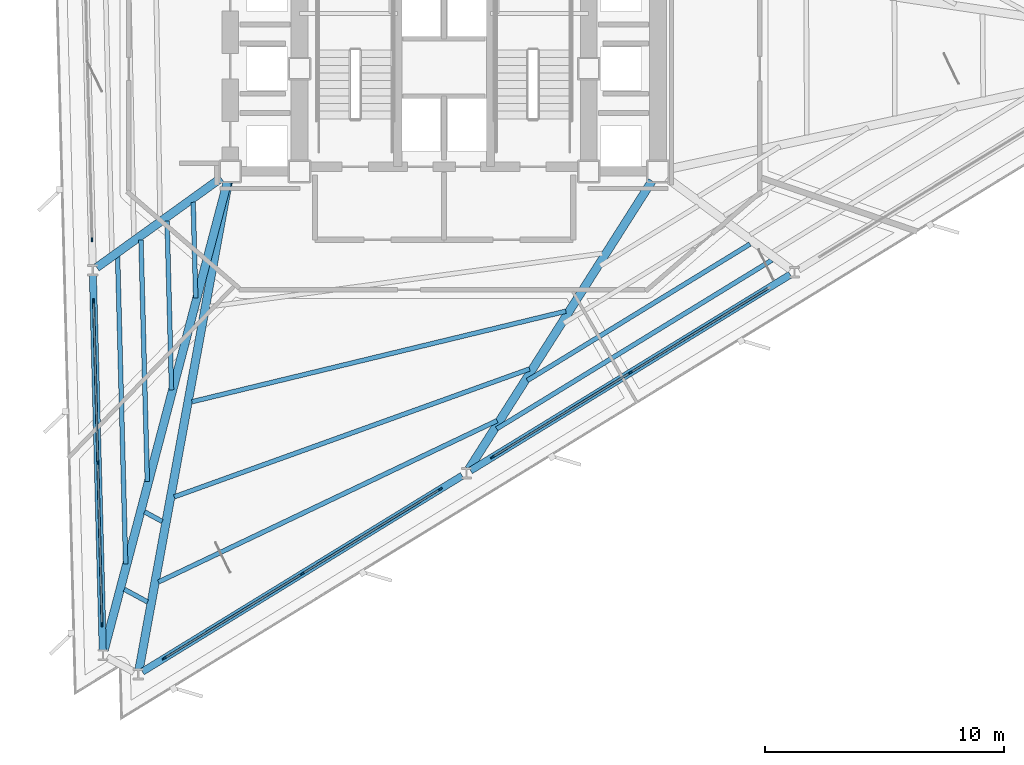
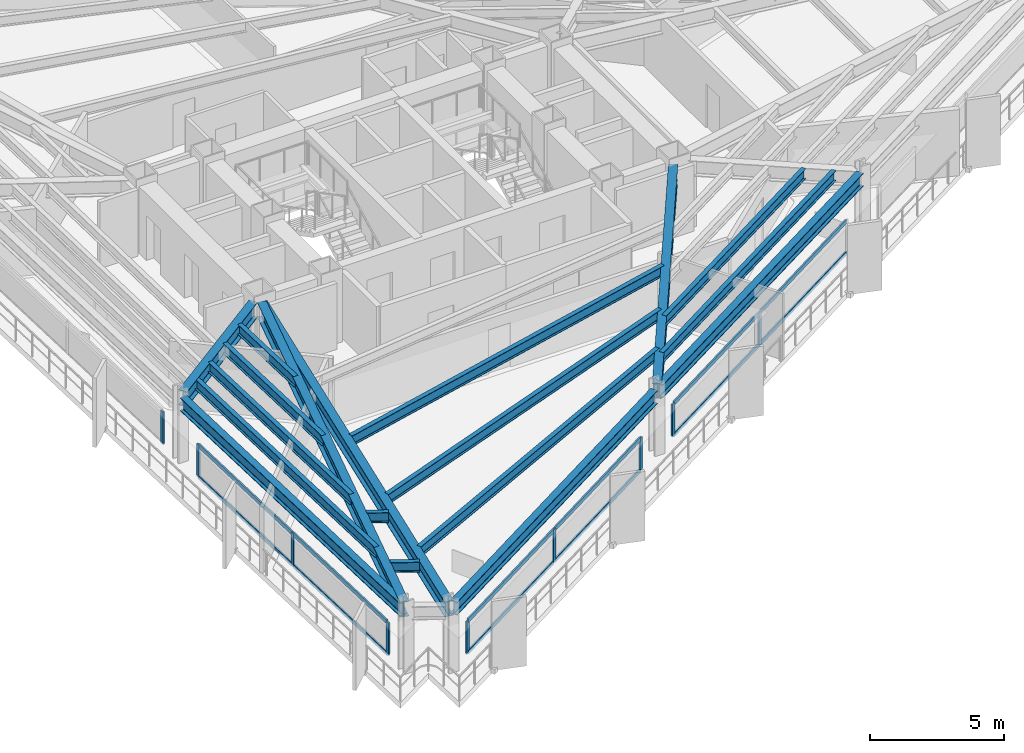
# One storey, part 2 of 14: 21 members, 18 beams, 4 elements without a shape of their own.
"""IFC4 building model written with IfcOpenShell, lengths in metres."""

import ifcopenshell
import ifcopenshell.guid

model = None  # the IFC model being written
_history = None  # IfcOwnerHistory: only IFC2X3 demands one
_inside = {}  # id of a spatial element -> (the spatial element, [elements in it])
_under = {}  # id of a project, library or spatial element -> (it, [spatial elements below it])
_declared = {}  # id of a project -> (the project, [libraries it declares])
_typed = {}  # id of a type object -> (the type object, [elements of that type])
_made_of = {}  # id of a material, layer set ... -> (it, [elements and type objects made of it])


def new_model(schema):
    """Start an empty IFC model of exactly this schema.

    Asked for "IFC4X3", IfcOpenShell would pick the latest addendum, in which some entities
    have other attributes; the version numbers below select the first issue.
    IFC2X3 requires an IfcOwnerHistory on every rooted entity: one is made here for all.
    """
    global model, _history
    if schema == "IFC4X3":
        model = ifcopenshell.file(schema_version=(4, 3, 0, 0))
    else:
        model = ifcopenshell.file(schema=schema)
    _inside.clear()
    _under.clear()
    _declared.clear()
    _typed.clear()
    _made_of.clear()
    _history = None
    if model.schema == "IFC2X3":
        org = make("IfcOrganization", Name="unknown")
        user = make(
            "IfcPersonAndOrganization",
            ThePerson=make("IfcPerson", FamilyName="unknown"),
            TheOrganization=org,
        )
        app = make(
            "IfcApplication",
            ApplicationDeveloper=org,
            Version="unknown",
            ApplicationFullName="unknown",
            ApplicationIdentifier="unknown",
        )
        _history = make(
            "IfcOwnerHistory",
            OwningUser=user,
            OwningApplication=app,
            ChangeAction="ADDED",
            CreationDate=0,
        )
    return model


def make(cls, **values):
    """One entity of the class cls with the attributes given. An attribute that is None is left unset."""
    return model.create_entity(
        cls, **{name: value for name, value in values.items() if value is not None}
    )


def rooted(cls, **values):
    """An entity with a GlobalId (a new one), such as an element, a storey or a relation."""
    return make(cls, GlobalId=ifcopenshell.guid.new(), OwnerHistory=_history, **values)


def si_unit(unit_type, name, prefix=None):
    """IfcSIUnit, for example si_unit("LENGTHUNIT", "METRE", prefix="MILLI")."""
    return make("IfcSIUnit", UnitType=unit_type, Prefix=prefix, Name=name)


def assignment(units):
    """IfcUnitAssignment: the units of a project."""
    return None if units is None else make("IfcUnitAssignment", Units=units)


def point(xyz):
    """IfcCartesianPoint."""
    return None if xyz is None else make("IfcCartesianPoint", Coordinates=xyz)


def direction(xyz):
    """IfcDirection."""
    return None if xyz is None else make("IfcDirection", DirectionRatios=xyz)


def frame(location, z_axis=None, x_axis=None):
    """IfcAxis2Placement3D, a coordinate frame: its origin and axes. An axis left out is left unset."""
    return make(
        "IfcAxis2Placement3D",
        Location=point(location),
        Axis=direction(z_axis),
        RefDirection=direction(x_axis),
    )


def frame_2d(location, x_axis=None):
    """IfcAxis2Placement2D, a coordinate frame in the plane: its origin and x axis."""
    return make(
        "IfcAxis2Placement2D", Location=point(location), RefDirection=direction(x_axis)
    )


def origin():
    """The frame at (0, 0, 0) with its axes left unset."""
    return frame((0.0, 0.0, 0.0))


def origin_2d():
    """The frame at (0, 0) in the plane with its x axis left unset."""
    return frame_2d((0.0, 0.0))


def place(relative_to, where):
    """IfcLocalPlacement: puts the frame where relative to a parent placement (None: the world)."""
    return make(
        "IfcLocalPlacement", PlacementRelTo=relative_to, RelativePlacement=where
    )


def context(
    kind, dimensions, precision=None, world=None, true_north=None, identifier=None
):
    """IfcGeometricRepresentationContext, for example the 3D "Model" context."""
    return make(
        "IfcGeometricRepresentationContext",
        ContextIdentifier=identifier,
        ContextType=kind,
        CoordinateSpaceDimension=dimensions,
        Precision=precision,
        WorldCoordinateSystem=world,
        TrueNorth=true_north,
    )


def subcontext(parent, identifier, kind, view, scale=None):
    """IfcGeometricRepresentationSubContext, for example "Body" below "Model"."""
    return make(
        "IfcGeometricRepresentationSubContext",
        ContextIdentifier=identifier,
        ContextType=kind,
        ParentContext=parent,
        TargetScale=scale,
        TargetView=view,
    )


def project(units=None, contexts=None):
    """IfcProject with its units and contexts."""
    return rooted(
        "IfcProject",
        Name="project",
        RepresentationContexts=contexts,
        UnitsInContext=assignment(units),
    )


def spatial(cls, under=None, at=None, **own):
    """A site, building, storey or space (cls), placed at a placement, below another one or the project."""
    s = rooted(cls, ObjectPlacement=at, **own)
    if under is not None:
        _under.setdefault(under.id(), (under, []))[1].append(s)
    return s


def profile(cls, at=None, kind="AREA", **sizes):
    """A parametric profile (cls). Its sizes go by their IFC names, for example OverallWidth=200.0."""
    return make(cls, ProfileType=kind, Position=at, **sizes)


def rectangle(**sizes):
    """IfcRectangleProfileDef."""
    return profile("IfcRectangleProfileDef", **sizes)


def i_section(**sizes):
    """IfcIShapeProfileDef."""
    return profile("IfcIShapeProfileDef", **sizes)


def extrude(swept, where, along, depth):
    """IfcExtrudedAreaSolid: the profile swept, set in the frame where, extruded along a direction by depth."""
    return make(
        "IfcExtrudedAreaSolid",
        SweptArea=swept,
        Position=where,
        ExtrudedDirection=direction(along),
        Depth=depth,
    )


def shape(context_of_items, identifier, shape_type, items):
    """IfcShapeRepresentation: the items that make up one representation, for example the "Body"."""
    return make(
        "IfcShapeRepresentation",
        ContextOfItems=context_of_items,
        RepresentationIdentifier=identifier,
        RepresentationType=shape_type,
        Items=items,
    )


def material(Name=None, Category=None):
    """IfcMaterial."""
    return make("IfcMaterial", Name=Name, Category=Category)


def layer(
    of_material, thickness, ventilated=None, Name=None, Category=None, Priority=None
):
    """IfcMaterialLayer: one layer of a wall or slab, of a material (None: an air gap)."""
    return make(
        "IfcMaterialLayer",
        Material=of_material,
        LayerThickness=thickness,
        IsVentilated=ventilated,
        Name=Name,
        Category=Category,
        Priority=Priority,
    )


def layer_set(layers, Name=None):
    """IfcMaterialLayerSet."""
    return make("IfcMaterialLayerSet", MaterialLayers=layers, LayerSetName=Name)


def material_profile(
    of_material, cross_section, Name=None, Category=None, Priority=None
):
    """IfcMaterialProfile: a cross section and its material."""
    return make(
        "IfcMaterialProfile",
        Name=Name,
        Material=of_material,
        Profile=cross_section,
        Priority=Priority,
        Category=Category,
    )


def profile_set(profiles, Name=None, composite=None):
    """IfcMaterialProfileSet."""
    return make(
        "IfcMaterialProfileSet",
        Name=Name,
        MaterialProfiles=profiles,
        CompositeProfile=composite,
    )


def made_of(thing, what):
    """Note that an element or type object is made of a material, layer set ...; save() writes the relation."""
    if what is not None:
        _made_of.setdefault(what.id(), (what, []))[1].append(thing)
    return thing


def type_object(cls, material=None, **own):
    """A type object (cls), such as IfcWallType, which elements share."""
    return made_of(rooted(cls, **own), material)


def element(
    cls,
    number,
    at=None,
    inside=None,
    cuts=None,
    type_object=None,
    material=None,
    context=None,
    identifier="Body",
    shape_type=None,
    held_by="IfcProductDefinitionShape",
    body=None,
    shapes=None,
    **own,
):
    """One element of the class cls, such as IfcWall. Its Tag is "e" and its number.

    at: its placement. inside: the storey or other place that contains it. cuts: it is an
    opening in that element (IfcRelVoidsElement). A single representation is given by context,
    identifier, shape_type and body (its items); several are given by shapes. held_by: the class
    of the entity that holds the representations. save() writes the other relations.
    """
    e = rooted(cls, Tag="e%d" % number, ObjectPlacement=at, **own)
    if body is not None:
        shapes = [shape(context, identifier, shape_type, body)]
    if shapes is not None:
        e.Representation = make(held_by, Representations=shapes)
    if inside is not None:
        _inside.setdefault(inside.id(), (inside, []))[1].append(e)
    if cuts is not None:
        rooted(
            "IfcRelVoidsElement", RelatingBuildingElement=cuts, RelatedOpeningElement=e
        )
    if type_object is not None:
        _typed.setdefault(type_object.id(), (type_object, []))[1].append(e)
    return made_of(e, material)


def aggregate(whole, parts):
    """IfcRelAggregates: a whole, such as a stair, and the parts it consists of."""
    return rooted("IfcRelAggregates", RelatingObject=whole, RelatedObjects=parts)


def save(model, path):
    """Write the relations noted so far, then the file.

    IfcRelAggregates (storeys below a building ...), IfcRelContainedInSpatialStructure (elements
    in a storey), IfcRelDefinesByType, IfcRelAssociatesMaterial and IfcRelDeclares: one each for
    every whole, place, type object, material and project.
    """
    for whole, parts in _under.values():
        aggregate(whole, parts)
    for where, things in _inside.values():
        rooted(
            "IfcRelContainedInSpatialStructure",
            RelatedElements=things,
            RelatingStructure=where,
        )
    for kind, things in _typed.values():
        rooted("IfcRelDefinesByType", RelatedObjects=things, RelatingType=kind)
    for what, things in _made_of.values():
        rooted("IfcRelAssociatesMaterial", RelatedObjects=things, RelatingMaterial=what)
    for by, libraries in _declared.values():
        rooted("IfcRelDeclares", RelatingContext=by, RelatedDefinitions=libraries)
    model.write(path)


model = new_model("IFC4")

# Units and contexts
model_context = context("Model", 3, precision=1e-05, world=origin(), true_north=direction((0.0, 1.0)))
body_context = subcontext(model_context, "Body", "Model", "MODEL_VIEW")
ifc_project = project(units=[si_unit("LENGTHUNIT", "METRE"), si_unit("AREAUNIT", "SQUARE_METRE"), si_unit("VOLUMEUNIT", "CUBIC_METRE"), si_unit("PLANEANGLEUNIT", "RADIAN"), si_unit("MASSUNIT", "GRAM", prefix="KILO")], contexts=[model_context])

# Site, building, storey
site_placement = place(None, origin())
site = spatial("IfcSite", under=ifc_project, at=site_placement, CompositionType="ELEMENT")
building_placement = place(site_placement, origin())
building = spatial("IfcBuilding", under=site, at=building_placement, Name="Rocaltana Carrier Exchange", CompositionType="ELEMENT")
storey_placement = place(building_placement, frame((0.0, 0.0, 42.39990234375)))
storey = spatial("IfcBuildingStorey", under=building, at=storey_placement, Name="L13", CompositionType="ELEMENT", Elevation=42.39990234375)

# Curtain wall, member
ifc_material_1 = material(Name="Aluminium 6063-T6", Category="aluminium")
ifc_layer = layer(ifc_material_1, 0.179931640625)
ifc_layer_set = layer_set([ifc_layer], Name="Aluminium 6063-T6")
curtain_wall_type = type_object("IfcCurtainWallType", Name="Sandstone Spandrel Unitised Curtain Wall CW-01", PredefinedType="NOTDEFINED", material=ifc_layer_set)
curtain_wall_1_placement = place(storey_placement, origin())
curtain_wall_1 = element("IfcCurtainWall", 1, at=curtain_wall_1_placement, inside=storey, type_object=curtain_wall_type, Name="L13 CW-01 Run CW-L13-F2S2", PredefinedType="NOTDEFINED")
ifc_material_2 = material(Name="Aluminium 6063-T6", Category="aluminium")
ifc_material_profile_1 = material_profile(ifc_material_2, rectangle(XDim=0.06494140625, YDim=0.179931640625, at=origin_2d()), Name="AL-65X180")
ifc_profile_set_1 = profile_set([ifc_material_profile_1], Name="Aluminium 6063-T6")
member_type_1 = type_object("IfcMemberType", Name="CW-01 Mullion AL-65X180", PredefinedType="MULLION", material=ifc_profile_set_1)
member_1_placement = place(storey_placement, frame((-14.733642578125, -7.155517578125, 0.0), z_axis=(0.0, 0.0, 1.0), x_axis=(0.99965733548, 0.026176547142, 0.0)))
member_1 = element("IfcMember", 2, at=member_1_placement, type_object=member_type_1, Name="CW-01 mullion 3", PredefinedType="MULLION", context=body_context, shape_type="SweptSolid", body=[
    extrude(rectangle(XDim=0.06494140625, YDim=0.179931640625, at=origin_2d()), origin(), (0.0, 0.0, 1.0), 1.498046875),
])
aggregate(curtain_wall_1, [member_1])

# Curtain wall, members
curtain_wall_2_placement = place(storey_placement, origin())
curtain_wall_2 = element("IfcCurtainWall", 3, at=curtain_wall_2_placement, inside=storey, type_object=curtain_wall_type, Name="L13 CW-01 Run CW-L13-F2S3", PredefinedType="NOTDEFINED")
member_2_placement = place(storey_placement, frame((-14.66650390625, -9.7197265625, 0.0), z_axis=(0.0, 0.0, 1.0), x_axis=(0.999657143044, 0.026183895077, 0.0)))
member_2 = element("IfcMember", 4, at=member_2_placement, type_object=member_type_1, Name="CW-01 mullion 1", PredefinedType="MULLION", context=body_context, shape_type="SweptSolid", body=[
    extrude(rectangle(XDim=0.06494140625, YDim=0.179931640625, at=origin_2d()), origin(), (0.0, 0.0, 1.0), 1.498046875),
])
member_3_placement = place(storey_placement, frame((-14.4892578125, -16.48486328125, 0.0), z_axis=(0.0, 0.0, 1.0), x_axis=(0.999657143044, 0.026183895077, 0.0)))
member_3 = element("IfcMember", 5, at=member_3_placement, type_object=member_type_1, Name="CW-01 mullion 2", PredefinedType="MULLION", context=body_context, shape_type="SweptSolid", body=[
    extrude(rectangle(XDim=0.06494140625, YDim=0.179931640625, at=origin_2d()), origin(), (0.0, 0.0, 1.0), 1.498046875),
])
member_4_placement = place(storey_placement, frame((-14.31201171875, -23.25, 0.0), z_axis=(0.0, 0.0, 1.0), x_axis=(0.999657143044, 0.026183895077, 0.0)))
member_4 = element("IfcMember", 6, at=member_4_placement, type_object=member_type_1, Name="CW-01 mullion 3", PredefinedType="MULLION", context=body_context, shape_type="SweptSolid", body=[
    extrude(rectangle(XDim=0.06494140625, YDim=0.179931640625, at=origin_2d()), origin(), (0.0, 0.0, 1.0), 1.498046875),
])

curtain_wall_3_placement = place(storey_placement, origin())
curtain_wall_3 = element("IfcCurtainWall", 7, at=curtain_wall_3_placement, inside=storey, type_object=curtain_wall_type, Name="L13 CW-01 Run CW-L13-F3S1", PredefinedType="NOTDEFINED")
member_5_placement = place(storey_placement, frame((-11.704345703125, -24.666015625, 0.0), z_axis=(0.0, 0.0, 1.0), x_axis=(-0.522505157925, 0.852636123996, 0.0)))
member_5 = element("IfcMember", 8, at=member_5_placement, type_object=member_type_1, Name="CW-01 mullion 1", PredefinedType="MULLION", context=body_context, shape_type="SweptSolid", body=[
    extrude(rectangle(XDim=0.06494140625, YDim=0.179931640625, at=origin_2d()), origin(), (0.0, 0.0, 1.0), 1.498046875),
])
member_6_placement = place(storey_placement, frame((-5.93408203125, -21.130126953125, 0.0), z_axis=(0.0, 0.0, 1.0), x_axis=(-0.522505157925, 0.852636123996, 0.0)))
member_6 = element("IfcMember", 9, at=member_6_placement, type_object=member_type_1, Name="CW-01 mullion 2", PredefinedType="MULLION", context=body_context, shape_type="SweptSolid", body=[
    extrude(rectangle(XDim=0.06494140625, YDim=0.179931640625, at=origin_2d()), origin(), (0.0, 0.0, 1.0), 1.498046875),
])
member_7_placement = place(storey_placement, frame((-0.163818359375, -17.593994140625, 0.0), z_axis=(0.0, 0.0, 1.0), x_axis=(-0.522505157925, 0.852636123996, 0.0)))
member_7 = element("IfcMember", 10, at=member_7_placement, type_object=member_type_1, Name="CW-01 mullion 3", PredefinedType="MULLION", context=body_context, shape_type="SweptSolid", body=[
    extrude(rectangle(XDim=0.06494140625, YDim=0.179931640625, at=origin_2d()), origin(), (0.0, 0.0, 1.0), 1.498046875),
])

curtain_wall_4_placement = place(storey_placement, origin())
curtain_wall_4 = element("IfcCurtainWall", 11, at=curtain_wall_4_placement, inside=storey, type_object=curtain_wall_type, Name="L13 CW-01 Run CW-L13-F3S2", PredefinedType="NOTDEFINED")
member_8_placement = place(storey_placement, frame((2.023193359375, -16.25390625, 0.0), z_axis=(0.0, 0.0, 1.0), x_axis=(-0.522499812415, 0.852639399762, 0.0)))
member_8 = element("IfcMember", 12, at=member_8_placement, type_object=member_type_1, Name="CW-01 mullion 1", PredefinedType="MULLION", context=body_context, shape_type="SweptSolid", body=[
    extrude(rectangle(XDim=0.06494140625, YDim=0.179931640625, at=origin_2d()), origin(), (0.0, 0.0, 1.0), 1.498046875),
])
member_9_placement = place(storey_placement, frame((7.79345703125, -12.7177734375, 0.0), z_axis=(0.0, 0.0, 1.0), x_axis=(-0.522499812415, 0.852639399762, 0.0)))
member_9 = element("IfcMember", 13, at=member_9_placement, type_object=member_type_1, Name="CW-01 mullion 2", PredefinedType="MULLION", context=body_context, shape_type="SweptSolid", body=[
    extrude(rectangle(XDim=0.06494140625, YDim=0.179931640625, at=origin_2d()), origin(), (0.0, 0.0, 1.0), 1.498046875),
])

# Member
ifc_material_3 = material(Name="Aluminium 6063-T6", Category="aluminium")
ifc_material_profile_2 = material_profile(ifc_material_3, rectangle(XDim=0.06494140625, YDim=0.179931640625, at=origin_2d()), Name="AL-65X180")
ifc_profile_set_2 = profile_set([ifc_material_profile_2], Name="Aluminium 6063-T6")
member_type_2 = type_object("IfcMemberType", Name="CW-01 Transom AL-65X180", PredefinedType="USERDEFINED", material=ifc_profile_set_2)
member_10_placement = place(storey_placement, frame((-14.66552734375, -9.752197265625, 0.03271484375), z_axis=(0.026189818331, -0.999656987879, 0.0), x_axis=(0.999656987879, 0.026189818331, 0.0)))
member_10 = element("IfcMember", 14, at=member_10_placement, type_object=member_type_2, Name="CW-01 transom 1.1", ObjectType="TRANSOM", PredefinedType="USERDEFINED", context=body_context, shape_type="SweptSolid", body=[
    extrude(rectangle(XDim=0.06494140625, YDim=0.179931640625, at=origin_2d()), origin(), (0.0, 0.0, 1.0), 6.702392578125),
])

member_11_placement = place(storey_placement, frame((-14.66552734375, -9.752197265625, 1.465576171875), z_axis=(0.026189818331, -0.999656987879, 0.0), x_axis=(0.999656987879, 0.026189818331, 0.0)))
member_11 = element("IfcMember", 15, at=member_11_placement, type_object=member_type_2, Name="CW-01 transom 1.2", ObjectType="TRANSOM", PredefinedType="USERDEFINED", context=body_context, shape_type="SweptSolid", body=[
    extrude(rectangle(XDim=0.06494140625, YDim=0.179931640625, at=origin_2d()), origin(), (0.0, 0.0, 1.0), 6.702392578125),
])

member_12_placement = place(storey_placement, frame((-14.48828125, -16.517333984375, 0.03271484375), z_axis=(0.026153417925, -0.999657940863, 0.0), x_axis=(0.999657940863, 0.026153417925, 0.0)))
member_12 = element("IfcMember", 16, at=member_12_placement, type_object=member_type_2, Name="CW-01 transom 2.1", ObjectType="TRANSOM", PredefinedType="USERDEFINED", context=body_context, shape_type="SweptSolid", body=[
    extrude(rectangle(XDim=0.06494140625, YDim=0.179931640625, at=origin_2d()), origin(), (0.0, 0.0, 1.0), 6.702392578125),
])

member_13_placement = place(storey_placement, frame((-14.48828125, -16.517333984375, 1.465576171875), z_axis=(0.026153417925, -0.999657940863, 0.0), x_axis=(0.999657940863, 0.026153417925, 0.0)))
member_13 = element("IfcMember", 17, at=member_13_placement, type_object=member_type_2, Name="CW-01 transom 2.2", ObjectType="TRANSOM", PredefinedType="USERDEFINED", context=body_context, shape_type="SweptSolid", body=[
    extrude(rectangle(XDim=0.06494140625, YDim=0.179931640625, at=origin_2d()), origin(), (0.0, 0.0, 1.0), 6.702392578125),
])

aggregate(curtain_wall_2, [member_2, member_3, member_4, member_10, member_11, member_12, member_13])

member_14_placement = place(storey_placement, frame((-11.676513671875, -24.649169921875, 0.03271484375), z_axis=(0.85263109068, 0.522513371318, 0.0), x_axis=(-0.522513371318, 0.85263109068, 0.0)))
member_14 = element("IfcMember", 18, at=member_14_placement, type_object=member_type_2, Name="CW-01 transom 1.1", ObjectType="TRANSOM", PredefinedType="USERDEFINED", context=body_context, shape_type="SweptSolid", body=[
    extrude(rectangle(XDim=0.06494140625, YDim=0.179931640625, at=origin_2d()), origin(), (0.0, 0.0, 1.0), 6.70263671875),
])

member_15_placement = place(storey_placement, frame((-11.676513671875, -24.649169921875, 1.465576171875), z_axis=(0.85263109068, 0.522513371318, 0.0), x_axis=(-0.522513371318, 0.85263109068, 0.0)))
member_15 = element("IfcMember", 19, at=member_15_placement, type_object=member_type_2, Name="CW-01 transom 1.2", ObjectType="TRANSOM", PredefinedType="USERDEFINED", context=body_context, shape_type="SweptSolid", body=[
    extrude(rectangle(XDim=0.06494140625, YDim=0.179931640625, at=origin_2d()), origin(), (0.0, 0.0, 1.0), 6.70263671875),
])

member_16_placement = place(storey_placement, frame((-5.90625, -21.113037109375, 0.03271484375), z_axis=(0.85264731822, 0.522486890488, 0.0), x_axis=(-0.522486890488, 0.85264731822, 0.0)))
member_16 = element("IfcMember", 20, at=member_16_placement, type_object=member_type_2, Name="CW-01 transom 2.1", ObjectType="TRANSOM", PredefinedType="USERDEFINED", context=body_context, shape_type="SweptSolid", body=[
    extrude(rectangle(XDim=0.06494140625, YDim=0.179931640625, at=origin_2d()), origin(), (0.0, 0.0, 1.0), 6.702392578125),
])

member_17_placement = place(storey_placement, frame((-5.90625, -21.113037109375, 1.465576171875), z_axis=(0.85264731822, 0.522486890488, 0.0), x_axis=(-0.522486890488, 0.85264731822, 0.0)))
member_17 = element("IfcMember", 21, at=member_17_placement, type_object=member_type_2, Name="CW-01 transom 2.2", ObjectType="TRANSOM", PredefinedType="USERDEFINED", context=body_context, shape_type="SweptSolid", body=[
    extrude(rectangle(XDim=0.06494140625, YDim=0.179931640625, at=origin_2d()), origin(), (0.0, 0.0, 1.0), 6.702392578125),
])

aggregate(curtain_wall_3, [member_5, member_6, member_7, member_14, member_15, member_16, member_17])

member_18_placement = place(storey_placement, frame((2.051025390625, -16.23681640625, 0.03271484375), z_axis=(0.852637373876, 0.522503118335, 0.0), x_axis=(-0.522503118335, 0.852637373876, 0.0)))
member_18 = element("IfcMember", 22, at=member_18_placement, type_object=member_type_2, Name="CW-01 transom 1.1", ObjectType="TRANSOM", PredefinedType="USERDEFINED", context=body_context, shape_type="SweptSolid", body=[
    extrude(rectangle(XDim=0.06494140625, YDim=0.179931640625, at=origin_2d()), origin(), (0.0, 0.0, 1.0), 6.7021484375),
])

member_19_placement = place(storey_placement, frame((2.051025390625, -16.23681640625, 1.465576171875), z_axis=(0.852637373876, 0.522503118335, 0.0), x_axis=(-0.522503118335, 0.852637373876, 0.0)))
member_19 = element("IfcMember", 23, at=member_19_placement, type_object=member_type_2, Name="CW-01 transom 1.2", ObjectType="TRANSOM", PredefinedType="USERDEFINED", context=body_context, shape_type="SweptSolid", body=[
    extrude(rectangle(XDim=0.06494140625, YDim=0.179931640625, at=origin_2d()), origin(), (0.0, 0.0, 1.0), 6.7021484375),
])

member_20_placement = place(storey_placement, frame((7.821044921875, -12.700927734375, 0.03271484375), z_axis=(0.85263109068, 0.522513371318, 0.0), x_axis=(-0.522513371318, 0.85263109068, 0.0)))
member_20 = element("IfcMember", 24, at=member_20_placement, type_object=member_type_2, Name="CW-01 transom 2.1", ObjectType="TRANSOM", PredefinedType="USERDEFINED", context=body_context, shape_type="SweptSolid", body=[
    extrude(rectangle(XDim=0.06494140625, YDim=0.179931640625, at=origin_2d()), origin(), (0.0, 0.0, 1.0), 6.70263671875),
])

member_21_placement = place(storey_placement, frame((7.821044921875, -12.700927734375, 1.465576171875), z_axis=(0.85263109068, 0.522513371318, 0.0), x_axis=(-0.522513371318, 0.85263109068, 0.0)))
member_21 = element("IfcMember", 25, at=member_21_placement, type_object=member_type_2, Name="CW-01 transom 2.2", ObjectType="TRANSOM", PredefinedType="USERDEFINED", context=body_context, shape_type="SweptSolid", body=[
    extrude(rectangle(XDim=0.06494140625, YDim=0.179931640625, at=origin_2d()), origin(), (0.0, 0.0, 1.0), 6.70263671875),
])

aggregate(curtain_wall_4, [member_8, member_9, member_18, member_19, member_20, member_21])

# Beams
ifc_material_4 = material(Name="Steel S355", Category="steel")
ifc_material_profile_3 = material_profile(ifc_material_4, i_section(OverallWidth=0.193115234375, OverallDepth=0.466064453125, WebThickness=0.011474609375, FlangeThickness=0.01904296875, FilletRadius=0.013916015625, at=origin_2d()), Name="W18X65")
ifc_profile_set_3 = profile_set([ifc_material_profile_3], Name="Steel S355")
beam_type_1 = type_object("IfcBeamType", Name="Floor Joist W18X65", PredefinedType="JOIST", material=ifc_profile_set_3)
beam_1_placement = place(storey_placement, frame((-10.498046875, -5.588623046875, 2.80517578125), z_axis=(0.02615756085, -0.999657832466, 0.0), x_axis=(0.999657832466, 0.02615756085, 0.0)))
element("IfcBeam", 26, at=beam_1_placement, inside=storey, type_object=beam_type_1, Name="FJ-L13-07-1", PredefinedType="JOIST", context=body_context, shape_type="SweptSolid", body=[
    extrude(i_section(OverallWidth=0.193115234375, OverallDepth=0.466064453125, WebThickness=0.011474609375, FlangeThickness=0.01904296875, FilletRadius=0.013916015625, at=origin_2d()), origin(), (0.0, 0.0, 1.0), 4.004150390625),
])
beam_2_placement = place(storey_placement, frame((-11.590576171875, -6.374755859375, 2.80517578125), z_axis=(0.026201236861, -0.999656688662, 0.0), x_axis=(0.999656688662, 0.026201236861, 0.0)))
element("IfcBeam", 27, at=beam_2_placement, inside=storey, type_object=beam_type_1, Name="FJ-L13-07-2", PredefinedType="JOIST", context=body_context, shape_type="SweptSolid", body=[
    extrude(i_section(OverallWidth=0.193115234375, OverallDepth=0.466064453125, WebThickness=0.011474609375, FlangeThickness=0.01904296875, FilletRadius=0.013916015625, at=origin_2d()), origin(), (0.0, 0.0, 1.0), 7.06298828125),
])
beam_3_placement = place(storey_placement, frame((-12.68310546875, -7.160888671875, 2.80517578125), z_axis=(0.026193779282, -0.999656884099, 0.0), x_axis=(0.999656884099, 0.026193779282, 0.0)))
element("IfcBeam", 28, at=beam_3_placement, inside=storey, type_object=beam_type_1, Name="FJ-L13-07-3", PredefinedType="JOIST", context=body_context, shape_type="SweptSolid", body=[
    extrude(i_section(OverallWidth=0.193115234375, OverallDepth=0.466064453125, WebThickness=0.011474609375, FlangeThickness=0.01904296875, FilletRadius=0.013916015625, at=origin_2d()), origin(), (0.0, 0.0, 1.0), 10.1220703125),
])
beam_4_placement = place(storey_placement, frame((-13.660400390625, -7.864501953125, 2.80517578125), z_axis=(0.026162886521, -0.999657693097, 0.0), x_axis=(0.999657693097, 0.026162886521, 0.0)))
element("IfcBeam", 29, at=beam_4_placement, inside=storey, type_object=beam_type_1, Name="FJ-L13-07-4", PredefinedType="JOIST", context=body_context, shape_type="SweptSolid", body=[
    extrude(i_section(OverallWidth=0.193115234375, OverallDepth=0.466064453125, WebThickness=0.011474609375, FlangeThickness=0.01904296875, FilletRadius=0.013916015625, at=origin_2d()), origin(), (0.0, 0.0, 1.0), 12.85888671875),
])
beam_5_placement = place(storey_placement, frame((-12.529296875, -18.54443359375, 2.80517578125), z_axis=(0.878797482276, -0.477194913159, 0.0), x_axis=(0.477194913159, 0.878797482276, 0.0)))
element("IfcBeam", 30, at=beam_5_placement, inside=storey, type_object=beam_type_1, Name="FJ-L13-08-3", PredefinedType="JOIST", context=body_context, shape_type="SweptSolid", body=[
    extrude(i_section(OverallWidth=0.193115234375, OverallDepth=0.466064453125, WebThickness=0.011474609375, FlangeThickness=0.01904296875, FilletRadius=0.013916015625, at=origin_2d()), origin(), (0.0, 0.0, 1.0), 0.83642578125),
])
beam_6_placement = place(storey_placement, frame((-13.3818359375, -21.781494140625, 2.80517578125), z_axis=(0.878771440965, -0.477242867462, 0.0), x_axis=(0.477242867462, 0.878771440965, 0.0)))
element("IfcBeam", 31, at=beam_6_placement, inside=storey, type_object=beam_type_1, Name="FJ-L13-08-4", PredefinedType="JOIST", context=body_context, shape_type="SweptSolid", body=[
    extrude(i_section(OverallWidth=0.193115234375, OverallDepth=0.466064453125, WebThickness=0.011474609375, FlangeThickness=0.01904296875, FilletRadius=0.013916015625, at=origin_2d()), origin(), (0.0, 0.0, 1.0), 1.10595703125),
])
beam_7_placement = place(storey_placement, frame((-10.55322265625, -13.936279296875, 2.80517578125), z_axis=(0.971913306863, 0.235339167889, 0.0), x_axis=(-0.235339167889, 0.971913306863, 0.0)))
element("IfcBeam", 32, at=beam_7_placement, inside=storey, type_object=beam_type_1, Name="FJ-L13-09-2", PredefinedType="JOIST", context=body_context, shape_type="SweptSolid", body=[
    extrude(i_section(OverallWidth=0.193115234375, OverallDepth=0.466064453125, WebThickness=0.011474609375, FlangeThickness=0.01904296875, FilletRadius=0.013916015625, at=origin_2d()), origin(), (0.0, 0.0, 1.0), 16.099365234375),
])
beam_8_placement = place(storey_placement, frame((-11.289794921875, -17.915283203125, 2.80517578125), z_axis=(0.940885835943, 0.338723845813, 0.0), x_axis=(-0.338723845813, 0.940885835943, 0.0)))
element("IfcBeam", 33, at=beam_8_placement, inside=storey, type_object=beam_type_1, Name="FJ-L13-09-3", PredefinedType="JOIST", context=body_context, shape_type="SweptSolid", body=[
    extrude(i_section(OverallWidth=0.193115234375, OverallDepth=0.466064453125, WebThickness=0.011474609375, FlangeThickness=0.01904296875, FilletRadius=0.013916015625, at=origin_2d()), origin(), (0.0, 0.0, 1.0), 15.799072265625),
])
beam_9_placement = place(storey_placement, frame((-11.950439453125, -21.475830078125, 2.80517578125), z_axis=(0.902777117636, 0.430108679141, 0.0), x_axis=(-0.430108679141, 0.902777117636, 0.0)))
element("IfcBeam", 34, at=beam_9_placement, inside=storey, type_object=beam_type_1, Name="FJ-L13-09-4", PredefinedType="JOIST", context=body_context, shape_type="SweptSolid", body=[
    extrude(i_section(OverallWidth=0.193115234375, OverallDepth=0.466064453125, WebThickness=0.011474609375, FlangeThickness=0.01904296875, FilletRadius=0.013916015625, at=origin_2d()), origin(), (0.0, 0.0, 1.0), 15.69482421875),
])
beam_10_placement = place(storey_placement, frame((3.48193359375, -13.047119140625, 2.80517578125), z_axis=(0.852647168541, 0.52248713475, 0.0), x_axis=(-0.52248713475, 0.852647168541, 0.0)))
element("IfcBeam", 35, at=beam_10_placement, inside=storey, type_object=beam_type_1, Name="FJ-L13-10-3", PredefinedType="JOIST", context=body_context, shape_type="SweptSolid", body=[
    extrude(i_section(OverallWidth=0.193115234375, OverallDepth=0.466064453125, WebThickness=0.011474609375, FlangeThickness=0.01904296875, FilletRadius=0.013916015625, at=origin_2d()), origin(), (0.0, 0.0, 1.0), 10.927001953125),
])
beam_11_placement = place(storey_placement, frame((2.19873046875, -15.06689453125, 2.80517578125), z_axis=(0.852643866126, 0.522492523926, 0.0), x_axis=(-0.522492523926, 0.852643866126, 0.0)))
element("IfcBeam", 36, at=beam_11_placement, inside=storey, type_object=beam_type_1, Name="FJ-L13-10-4", PredefinedType="JOIST", context=body_context, shape_type="SweptSolid", body=[
    extrude(i_section(OverallWidth=0.193115234375, OverallDepth=0.466064453125, WebThickness=0.011474609375, FlangeThickness=0.01904296875, FilletRadius=0.013916015625, at=origin_2d()), origin(), (0.0, 0.0, 1.0), 13.5029296875),
])
ifc_material_5 = material(Name="Steel S355", Category="steel")
ifc_material_profile_4 = material_profile(ifc_material_5, i_section(OverallWidth=0.35498046875, OverallDepth=0.695068359375, WebThickness=0.015380859375, FlangeThickness=0.02490234375, FilletRadius=0.01806640625, at=origin_2d()), Name="W27X146")
ifc_profile_set_4 = profile_set([ifc_material_profile_4], Name="Steel S355")
beam_type_2 = type_object("IfcBeamType", Name="Radial Girder W27X146", PredefinedType="BEAM", material=ifc_profile_set_4)
beam_12_placement = place(storey_placement, frame((-9.3291015625, -4.57275390625, 2.690673828125), z_axis=(-0.811680897727, -0.584101121609, 0.0), x_axis=(0.584101121609, -0.811680897727, 0.0)))
element("IfcBeam", 37, at=beam_12_placement, inside=storey, type_object=beam_type_2, Name="RG-L13-07", PredefinedType="BEAM", context=body_context, shape_type="SweptSolid", body=[
    extrude(i_section(OverallWidth=0.35498046875, OverallDepth=0.695068359375, WebThickness=0.015380859375, FlangeThickness=0.02490234375, FilletRadius=0.01806640625, at=origin_2d()), origin(), (0.0, 0.0, 1.0), 6.4130859375),
])
beam_13_placement = place(storey_placement, frame((-9.06884765625, -4.751708984375, 2.690673828125), z_axis=(-0.254688527576, -0.967023140323, 0.0), x_axis=(0.967023140323, -0.254688527576, 0.0)))
element("IfcBeam", 38, at=beam_13_placement, inside=storey, type_object=beam_type_2, Name="RG-L13-08", PredefinedType="BEAM", context=body_context, shape_type="SweptSolid", body=[
    extrude(i_section(OverallWidth=0.35498046875, OverallDepth=0.695068359375, WebThickness=0.015380859375, FlangeThickness=0.02490234375, FilletRadius=0.01806640625, at=origin_2d()), origin(), (0.0, 0.0, 1.0), 20.2509765625),
])
beam_14_placement = place(storey_placement, frame((-9.033935546875, -4.759521484375, 2.690673828125), z_axis=(-0.179928749917, -0.983679645491, 0.0), x_axis=(0.983679645491, -0.179928749917, 0.0)))
element("IfcBeam", 39, at=beam_14_placement, inside=storey, type_object=beam_type_2, Name="RG-L13-09", PredefinedType="BEAM", context=body_context, shape_type="SweptSolid", body=[
    extrude(i_section(OverallWidth=0.35498046875, OverallDepth=0.695068359375, WebThickness=0.015380859375, FlangeThickness=0.02490234375, FilletRadius=0.01806640625, at=origin_2d()), origin(), (0.0, 0.0, 1.0), 20.714111328125),
])
beam_15_placement = place(storey_placement, frame((8.69970703125, -4.694091796875, 2.690673828125), z_axis=(-0.536258289546, -0.844053936009, 0.0), x_axis=(0.844053936009, -0.536258289546, 0.0)))
element("IfcBeam", 40, at=beam_15_placement, inside=storey, type_object=beam_type_2, Name="RG-L13-10", PredefinedType="BEAM", context=body_context, shape_type="SweptSolid", body=[
    extrude(i_section(OverallWidth=0.35498046875, OverallDepth=0.695068359375, WebThickness=0.015380859375, FlangeThickness=0.02490234375, FilletRadius=0.01806640625, at=origin_2d()), origin(), (0.0, 0.0, 1.0), 14.285400390625),
])
ifc_material_6 = material(Name="Steel S355", Category="steel")
ifc_material_profile_5 = material_profile(ifc_material_6, i_section(OverallWidth=0.300048828125, OverallDepth=0.60009765625, WebThickness=0.015380859375, FlangeThickness=0.030029296875, FilletRadius=0.027099609375, at=origin_2d()), Name="HEB600")
ifc_profile_set_5 = profile_set([ifc_material_profile_5], Name="Steel S355")
beam_type_3 = type_object("IfcBeamType", Name="Spandrel Edge Beam HEB600", PredefinedType="SPANDREL", material=ifc_profile_set_5)
beam_16_placement = place(storey_placement, frame((-14.694580078125, -8.6416015625, 2.738037109375), z_axis=(0.026184348618, -0.999657131164, 0.0), x_axis=(0.999657131164, 0.026184348618, 0.0)))
element("IfcBeam", 41, at=beam_16_placement, inside=storey, type_object=beam_type_3, Name="SP-L13-07", PredefinedType="SPANDREL", context=body_context, shape_type="SweptSolid", body=[
    extrude(i_section(OverallWidth=0.300048828125, OverallDepth=0.60009765625, WebThickness=0.015380859375, FlangeThickness=0.030029296875, FilletRadius=0.027099609375, at=origin_2d()), origin(), (0.0, 0.0, 1.0), 15.692138671875),
])
beam_17_placement = place(storey_placement, frame((-12.623779296875, -25.2294921875, 2.738037109375), z_axis=(0.852642393394, 0.522494927236, 0.0), x_axis=(-0.522494927236, 0.852642393394, 0.0)))
element("IfcBeam", 42, at=beam_17_placement, inside=storey, type_object=beam_type_3, Name="SP-L13-09", PredefinedType="SPANDREL", context=body_context, shape_type="SweptSolid", body=[
    extrude(i_section(OverallWidth=0.300048828125, OverallDepth=0.60009765625, WebThickness=0.015380859375, FlangeThickness=0.030029296875, FilletRadius=0.027099609375, at=origin_2d()), origin(), (0.0, 0.0, 1.0), 15.69189453125),
])
beam_18_placement = place(storey_placement, frame((1.103515625, -16.8173828125, 2.738037109375), z_axis=(0.852646640744, 0.522487996061, 0.0), x_axis=(-0.522487996061, 0.852646640744, 0.0)))
element("IfcBeam", 43, at=beam_18_placement, inside=storey, type_object=beam_type_3, Name="SP-L13-10", PredefinedType="SPANDREL", context=body_context, shape_type="SweptSolid", body=[
    extrude(i_section(OverallWidth=0.300048828125, OverallDepth=0.60009765625, WebThickness=0.015380859375, FlangeThickness=0.030029296875, FilletRadius=0.027099609375, at=origin_2d()), origin(), (0.0, 0.0, 1.0), 15.692138671875),
])

save(model, "model.ifc")
